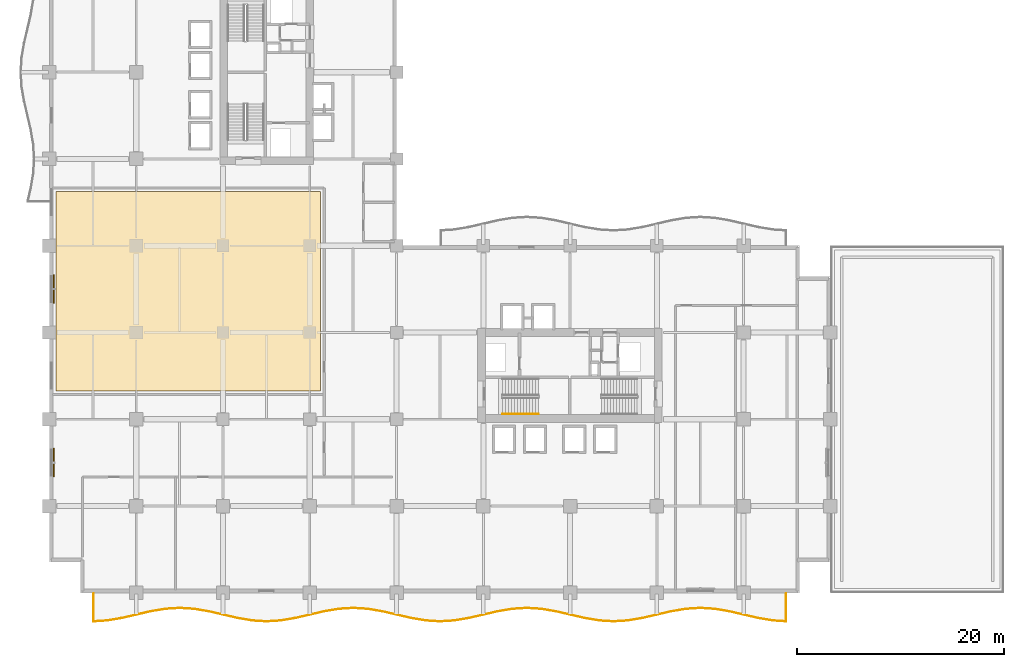
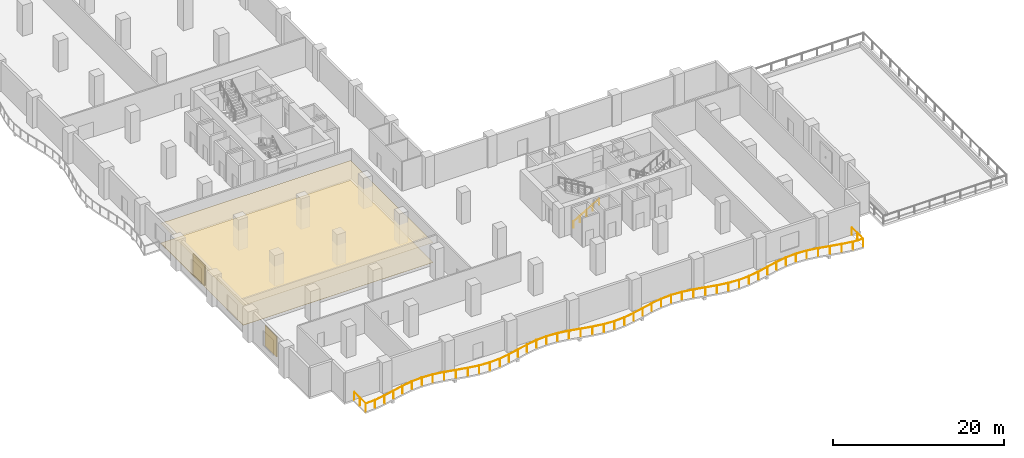
# One storey, part 17 of 21: 2 coverings, 2 railings, 2 shading devices.
"""IFC4 building model written with IfcOpenShell, lengths in metres."""

from ifc_helpers import new_model, si_unit, direction, frame, origin, origin_2d, place, context, subcontext, project, spatial, polyline, rectangle, circle, outline, extrude, material, layer, layer_set, type_object, element, save


model = new_model("IFC4")

# Units and contexts
model_context = context("Model", 3, precision=1e-05, world=origin(), true_north=direction((0.0, 1.0)))
body_context = subcontext(model_context, "Body", "Model", "MODEL_VIEW")
ifc_project = project(units=[si_unit("LENGTHUNIT", "METRE"), si_unit("AREAUNIT", "SQUARE_METRE"), si_unit("VOLUMEUNIT", "CUBIC_METRE"), si_unit("PLANEANGLEUNIT", "RADIAN"), si_unit("MASSUNIT", "GRAM", prefix="KILO")], contexts=[model_context])

# Site, building, storey
site_placement = place(None, origin())
site = spatial("IfcSite", under=ifc_project, at=site_placement, CompositionType="ELEMENT")
building_placement = place(site_placement, origin())
building = spatial("IfcBuilding", under=site, at=building_placement, Name="Koriwani Terraces Tower", CompositionType="ELEMENT")
storey_placement = place(building_placement, frame((0.0, 0.0, 85.199951171875)))
storey = spatial("IfcBuildingStorey", under=building, at=storey_placement, Name="L20", CompositionType="ELEMENT", Elevation=85.199951171875)

# Coverings
ifc_material_1 = material(Name="Fire-Rated Acoustic Gypsum Partition", Category="masonry")
ifc_layer_1 = layer(ifc_material_1, 0.02490234375, Name="Fire-Rated Acoustic Gypsum Partition")
ifc_layer_set_1 = layer_set([ifc_layer_1], Name="Fire-Rated Acoustic Gypsum Partition")
covering_type_1 = type_object("IfcCoveringType", Name="CEILING_ACOUSTIC_GYPSUM", PredefinedType="CEILING", material=ifc_layer_set_1)
covering_1_placement = place(storey_placement, frame((0.0, 0.0, 2.824951171875)))
element("IfcCovering", 1, at=covering_1_placement, inside=storey, type_object=covering_type_1, Name="L20 Suspended Acoustic Gypsum Ceiling", PredefinedType="CEILING", context=body_context, shape_type="SweptSolid", body=[
    extrude(outline(polyline([(0.64990234375, 19.550048828125), (0.64990234375, 38.85009765625), (26.25, 38.85009765625), (26.25, 19.550048828125), (0.64990234375, 19.550048828125)])), origin(), (0.0, 0.0, 1.0), 0.025146484375),
])
ifc_material_2 = material(Name="Polished Andean Slate Flooring", Category="masonry")
ifc_layer_2 = layer(ifc_material_2, 0.030029296875, Name="Polished Andean Slate Flooring")
ifc_layer_set_2 = layer_set([ifc_layer_2], Name="Polished Andean Slate Flooring")
covering_type_2 = type_object("IfcCoveringType", Name="FLOORING_ANDEAN_STONE", PredefinedType="FLOORING", material=ifc_layer_set_2)
covering_2_placement = place(storey_placement, origin())
element("IfcCovering", 2, at=covering_2_placement, inside=storey, type_object=covering_type_2, Name="L20 Polished Andean Slate Floor Finish", PredefinedType="FLOORING", context=body_context, shape_type="SweptSolid", body=[
    extrude(outline(polyline([(0.64990234375, 19.550048828125), (0.64990234375, 38.85009765625), (26.25, 38.85009765625), (26.25, 19.550048828125), (0.64990234375, 19.550048828125)])), origin(), (0.0, 0.0, 1.0), 0.030029296875),
])

# Railings
ifc_material_3 = material(Name="Steel ASTM A572 Grade 50", Category="steel")
railing_type_1 = type_object("IfcRailingType", Name="GUARD_BALUSTRADE_1150", PredefinedType="BALUSTRADE", material=ifc_material_3)
railing_1_placement = place(storey_placement, frame((4.280029296875, -0.080078125, 0.0)))
element("IfcRailing", 3, at=railing_1_placement, inside=storey, type_object=railing_type_1, Name="L20 Balcony Perimeter Safety Balustrade (S)", PredefinedType="BALUSTRADE", context=body_context, shape_type="SweptSolid", body=[
    extrude(circle(Radius=0.02392578125, at=origin_2d()), frame((0.0, 0.0, 1.1259765625), z_axis=(0.0, -1.0, 0.0), x_axis=(1.0, 0.0, 0.0)), (0.0, 0.0, 1.0), 2.684814453125),
    extrude(circle(Radius=0.02392578125, at=origin_2d()), frame((0.0, -2.684814453125, 1.1259765625), z_axis=(0.998070619723, 0.062088952689, 0.0), x_axis=(-0.062088952689, 0.998070619723, 0.0)), (0.0, 0.0, 1.0), 1.313232421875),
    extrude(circle(Radius=0.02392578125, at=origin_2d()), frame((1.310791015625, -2.603271484375, 1.1259765625), z_axis=(0.985861269125, 0.167563594016, 0.0), x_axis=(-0.167563594016, 0.985861269125, 0.0)), (0.0, 0.0, 1.0), 1.413330078125),
    extrude(circle(Radius=0.02392578125, at=origin_2d()), frame((2.7041015625, -2.366455078125, 1.1259765625), z_axis=(0.974105551615, 0.226093729043, 0.0), x_axis=(-0.226093729043, 0.974105551615, 0.0)), (0.0, 0.0, 1.0), 2.87451171875),
    extrude(circle(Radius=0.02392578125, at=origin_2d()), frame((5.504150390625, -1.716552734375, 1.1259765625), z_axis=(0.985871108269, 0.16750569507, 0.0), x_axis=(-0.16750569507, 0.985871108269, 0.0)), (0.0, 0.0, 1.0), 1.427001953125),
    extrude(circle(Radius=0.02392578125, at=origin_2d()), frame((6.910888671875, -1.4775390625, 1.1259765625), z_axis=(0.9980820707, 0.061904605217, 0.0), x_axis=(-0.061904605217, 0.9980820707, 0.0)), (0.0, 0.0, 1.0), 1.411865234375),
    extrude(circle(Radius=0.02392578125, at=origin_2d()), frame((8.320068359375, -1.39013671875, 1.1259765625), z_axis=(0.9980820707, -0.061904605217, 0.0), x_axis=(0.061904605217, 0.9980820707, 0.0)), (0.0, 0.0, 1.0), 1.411865234375),
    extrude(circle(Radius=0.02392578125, at=origin_2d()), frame((9.729248046875, -1.4775390625, 1.1259765625), z_axis=(0.985866306337, -0.167533954852, 0.0), x_axis=(0.167533954852, 0.985866306337, 0.0)), (0.0, 0.0, 1.0), 1.4267578125),
    extrude(circle(Radius=0.02392578125, at=origin_2d()), frame((11.1357421875, -1.716552734375, 1.1259765625), z_axis=(0.974105551615, -0.226093729043, 0.0), x_axis=(0.226093729043, 0.974105551615, 0.0)), (0.0, 0.0, 1.0), 2.87451171875),
    extrude(circle(Radius=0.02392578125, at=origin_2d()), frame((13.935791015625, -2.366455078125, 1.1259765625), z_axis=(0.985861269125, -0.167563594016, 0.0), x_axis=(0.167563594016, 0.985861269125, 0.0)), (0.0, 0.0, 1.0), 1.413330078125),
    extrude(circle(Radius=0.02392578125, at=origin_2d()), frame((15.3291015625, -2.603271484375, 1.1259765625), z_axis=(0.998075009192, -0.062018352335, 0.0), x_axis=(0.062018352335, 0.998075009192, 0.0)), (0.0, 0.0, 1.0), 1.3935546875),
    extrude(circle(Radius=0.02392578125, at=origin_2d()), frame((16.719970703125, -2.689697265625, 1.1259765625), z_axis=(0.998075009192, 0.062018352335, 0.0), x_axis=(-0.062018352335, 0.998075009192, 0.0)), (0.0, 0.0, 1.0), 1.3935546875),
    extrude(circle(Radius=0.02392578125, at=origin_2d()), frame((18.11083984375, -2.603271484375, 1.1259765625), z_axis=(0.985861269125, 0.167563594016, 0.0), x_axis=(-0.167563594016, 0.985861269125, 0.0)), (0.0, 0.0, 1.0), 1.413330078125),
    extrude(circle(Radius=0.02392578125, at=origin_2d()), frame((19.504150390625, -2.366455078125, 1.1259765625), z_axis=(0.974105551615, 0.226093729043, 0.0), x_axis=(-0.226093729043, 0.974105551615, 0.0)), (0.0, 0.0, 1.0), 2.87451171875),
    extrude(circle(Radius=0.02392578125, at=origin_2d()), frame((22.30419921875, -1.716552734375, 1.1259765625), z_axis=(0.985866306337, 0.167533954852, 0.0), x_axis=(-0.167533954852, 0.985866306337, 0.0)), (0.0, 0.0, 1.0), 1.4267578125),
    extrude(circle(Radius=0.02392578125, at=origin_2d()), frame((23.710693359375, -1.4775390625, 1.1259765625), z_axis=(0.9980820707, 0.061904605217, 0.0), x_axis=(-0.061904605217, 0.9980820707, 0.0)), (0.0, 0.0, 1.0), 1.411865234375),
    extrude(circle(Radius=0.02392578125, at=origin_2d()), frame((25.119873046875, -1.39013671875, 1.1259765625), z_axis=(0.9980820707, -0.061904605217, 0.0), x_axis=(0.061904605217, 0.9980820707, 0.0)), (0.0, 0.0, 1.0), 1.411865234375),
    extrude(circle(Radius=0.02392578125, at=origin_2d()), frame((26.529052734375, -1.4775390625, 1.1259765625), z_axis=(0.985871108269, -0.16750569507, 0.0), x_axis=(0.16750569507, 0.985871108269, 0.0)), (0.0, 0.0, 1.0), 1.427001953125),
    extrude(circle(Radius=0.02392578125, at=origin_2d()), frame((27.935791015625, -1.716552734375, 1.1259765625), z_axis=(0.974105551615, -0.226093729043, 0.0), x_axis=(0.226093729043, 0.974105551615, 0.0)), (0.0, 0.0, 1.0), 2.87451171875),
    extrude(circle(Radius=0.02392578125, at=origin_2d()), frame((30.73583984375, -2.366455078125, 1.1259765625), z_axis=(0.985861269125, -0.167563594016, 0.0), x_axis=(0.167563594016, 0.985861269125, 0.0)), (0.0, 0.0, 1.0), 1.413330078125),
    extrude(circle(Radius=0.02392578125, at=origin_2d()), frame((32.129150390625, -2.603271484375, 1.1259765625), z_axis=(0.998075009192, -0.062018352335, 0.0), x_axis=(0.062018352335, 0.998075009192, 0.0)), (0.0, 0.0, 1.0), 1.3935546875),
    extrude(circle(Radius=0.02392578125, at=origin_2d()), frame((33.52001953125, -2.689697265625, 1.1259765625), z_axis=(0.998075009192, 0.062018352335, 0.0), x_axis=(-0.062018352335, 0.998075009192, 0.0)), (0.0, 0.0, 1.0), 1.3935546875),
    extrude(circle(Radius=0.02392578125, at=origin_2d()), frame((34.910888671875, -2.603271484375, 1.1259765625), z_axis=(0.985861269125, 0.167563594016, 0.0), x_axis=(-0.167563594016, 0.985861269125, 0.0)), (0.0, 0.0, 1.0), 1.413330078125),
    extrude(circle(Radius=0.02392578125, at=origin_2d()), frame((36.30419921875, -2.366455078125, 1.1259765625), z_axis=(0.974105551615, 0.226093729043, 0.0), x_axis=(-0.226093729043, 0.974105551615, 0.0)), (0.0, 0.0, 1.0), 2.87451171875),
    extrude(circle(Radius=0.02392578125, at=origin_2d()), frame((39.104248046875, -1.716552734375, 1.1259765625), z_axis=(0.985866306337, 0.167533954852, 0.0), x_axis=(-0.167533954852, 0.985866306337, 0.0)), (0.0, 0.0, 1.0), 1.4267578125),
    extrude(circle(Radius=0.02392578125, at=origin_2d()), frame((40.5107421875, -1.4775390625, 1.1259765625), z_axis=(0.9980820707, 0.061904605217, 0.0), x_axis=(-0.061904605217, 0.9980820707, 0.0)), (0.0, 0.0, 1.0), 1.411865234375),
    extrude(circle(Radius=0.02392578125, at=origin_2d()), frame((41.919921875, -1.39013671875, 1.1259765625), z_axis=(0.9980820707, -0.061904605217, 0.0), x_axis=(0.061904605217, 0.9980820707, 0.0)), (0.0, 0.0, 1.0), 1.411865234375),
    extrude(circle(Radius=0.02392578125, at=origin_2d()), frame((43.3291015625, -1.4775390625, 1.1259765625), z_axis=(0.985866306337, -0.167533954852, 0.0), x_axis=(0.167533954852, 0.985866306337, 0.0)), (0.0, 0.0, 1.0), 1.4267578125),
    extrude(circle(Radius=0.02392578125, at=origin_2d()), frame((44.735595703125, -1.716552734375, 1.1259765625), z_axis=(0.974109892753, -0.226075024805, 0.0), x_axis=(0.226075024805, 0.974109892753, 0.0)), (0.0, 0.0, 1.0), 2.874755859375),
    extrude(circle(Radius=0.02392578125, at=origin_2d()), frame((47.535888671875, -2.366455078125, 1.1259765625), z_axis=(0.985861269125, -0.167563594016, 0.0), x_axis=(0.167563594016, 0.985861269125, 0.0)), (0.0, 0.0, 1.0), 1.413330078125),
    extrude(circle(Radius=0.02392578125, at=origin_2d()), frame((48.92919921875, -2.603271484375, 1.1259765625), z_axis=(0.998075009192, -0.062018352335, 0.0), x_axis=(0.062018352335, 0.998075009192, 0.0)), (0.0, 0.0, 1.0), 1.3935546875),
    extrude(circle(Radius=0.02392578125, at=origin_2d()), frame((50.320068359375, -2.689697265625, 1.1259765625), z_axis=(0.998074335174, 0.062029198499, 0.0), x_axis=(-0.062029198499, 0.998074335174, 0.0)), (0.0, 0.0, 1.0), 1.393310546875),
    extrude(circle(Radius=0.02392578125, at=origin_2d()), frame((51.710693359375, -2.603271484375, 1.1259765625), z_axis=(0.985866118171, 0.167535062128, 0.0), x_axis=(-0.167535062128, 0.985866118171, 0.0)), (0.0, 0.0, 1.0), 1.41357421875),
    extrude(circle(Radius=0.02392578125, at=origin_2d()), frame((53.104248046875, -2.366455078125, 1.1259765625), z_axis=(0.974105551615, 0.226093729043, 0.0), x_axis=(-0.226093729043, 0.974105551615, 0.0)), (0.0, 0.0, 1.0), 2.87451171875),
    extrude(circle(Radius=0.02392578125, at=origin_2d()), frame((55.904296875, -1.716552734375, 1.1259765625), z_axis=(0.985866306337, 0.167533954852, 0.0), x_axis=(-0.167533954852, 0.985866306337, 0.0)), (0.0, 0.0, 1.0), 1.4267578125),
    extrude(circle(Radius=0.02392578125, at=origin_2d()), frame((57.310791015625, -1.4775390625, 1.1259765625), z_axis=(0.9980820707, 0.061904605217, 0.0), x_axis=(-0.061904605217, 0.9980820707, 0.0)), (0.0, 0.0, 1.0), 1.411865234375),
    extrude(circle(Radius=0.02392578125, at=origin_2d()), frame((58.719970703125, -1.39013671875, 1.1259765625), z_axis=(0.9980820707, -0.061904605217, 0.0), x_axis=(0.061904605217, 0.9980820707, 0.0)), (0.0, 0.0, 1.0), 1.411865234375),
    extrude(circle(Radius=0.02392578125, at=origin_2d()), frame((60.129150390625, -1.4775390625, 1.1259765625), z_axis=(0.985866306337, -0.167533954852, 0.0), x_axis=(0.167533954852, 0.985866306337, 0.0)), (0.0, 0.0, 1.0), 1.4267578125),
    extrude(circle(Radius=0.02392578125, at=origin_2d()), frame((61.53564453125, -1.716552734375, 1.1259765625), z_axis=(0.974105551615, -0.226093729043, 0.0), x_axis=(0.226093729043, 0.974105551615, 0.0)), (0.0, 0.0, 1.0), 2.87451171875),
    extrude(circle(Radius=0.02392578125, at=origin_2d()), frame((64.335693359375, -2.366455078125, 1.1259765625), z_axis=(0.985866118171, -0.167535062128, 0.0), x_axis=(0.167535062128, 0.985866118171, 0.0)), (0.0, 0.0, 1.0), 1.41357421875),
    extrude(circle(Radius=0.02392578125, at=origin_2d()), frame((65.729248046875, -2.603271484375, 1.1259765625), z_axis=(0.998070619723, -0.062088952689, 0.0), x_axis=(0.062088952689, 0.998070619723, 0.0)), (0.0, 0.0, 1.0), 1.313232421875),
    extrude(circle(Radius=0.02392578125, at=origin_2d()), frame((67.0400390625, -2.684814453125, 1.1259765625), z_axis=(0.0, 1.0, 0.0), x_axis=(-1.0, 0.0, 0.0)), (0.0, 0.0, 1.0), 2.684814453125),
    extrude(circle(Radius=0.02099609375, at=origin_2d()), origin(), (0.0, 0.0, 1.0), 1.101806640625),
    extrude(circle(Radius=0.02099609375, at=origin_2d()), frame((0.0, -1.34228515625, 0.0)), (0.0, 0.0, 1.0), 1.101806640625),
    extrude(circle(Radius=0.02099609375, at=origin_2d()), frame((0.0, -2.684814453125, 0.0)), (0.0, 0.0, 1.0), 1.101806640625),
    extrude(circle(Radius=0.02099609375, at=origin_2d()), frame((1.310791015625, -2.603271484375, 0.0)), (0.0, 0.0, 1.0), 1.101806640625),
    extrude(circle(Radius=0.02099609375, at=origin_2d()), frame((2.7041015625, -2.366455078125, 0.0)), (0.0, 0.0, 1.0), 1.101806640625),
    extrude(circle(Radius=0.02099609375, at=origin_2d()), frame((4.10400390625, -2.04150390625, 0.0)), (0.0, 0.0, 1.0), 1.101806640625),
    extrude(circle(Radius=0.02099609375, at=origin_2d()), frame((5.504150390625, -1.716552734375, 0.0)), (0.0, 0.0, 1.0), 1.101806640625),
    extrude(circle(Radius=0.02099609375, at=origin_2d()), frame((6.910888671875, -1.4775390625, 0.0)), (0.0, 0.0, 1.0), 1.101806640625),
    extrude(circle(Radius=0.02099609375, at=origin_2d()), frame((8.320068359375, -1.39013671875, 0.0)), (0.0, 0.0, 1.0), 1.101806640625),
    extrude(circle(Radius=0.02099609375, at=origin_2d()), frame((9.729248046875, -1.4775390625, 0.0)), (0.0, 0.0, 1.0), 1.101806640625),
    extrude(circle(Radius=0.02099609375, at=origin_2d()), frame((11.1357421875, -1.716552734375, 0.0)), (0.0, 0.0, 1.0), 1.101806640625),
    extrude(circle(Radius=0.02099609375, at=origin_2d()), frame((12.53564453125, -2.04150390625, 0.0)), (0.0, 0.0, 1.0), 1.101806640625),
    extrude(circle(Radius=0.02099609375, at=origin_2d()), frame((13.935791015625, -2.366455078125, 0.0)), (0.0, 0.0, 1.0), 1.101806640625),
    extrude(circle(Radius=0.02099609375, at=origin_2d()), frame((15.3291015625, -2.603271484375, 0.0)), (0.0, 0.0, 1.0), 1.101806640625),
    extrude(circle(Radius=0.02099609375, at=origin_2d()), frame((16.719970703125, -2.689697265625, 0.0)), (0.0, 0.0, 1.0), 1.101806640625),
    extrude(circle(Radius=0.02099609375, at=origin_2d()), frame((18.11083984375, -2.603271484375, 0.0)), (0.0, 0.0, 1.0), 1.101806640625),
    extrude(circle(Radius=0.02099609375, at=origin_2d()), frame((19.504150390625, -2.366455078125, 0.0)), (0.0, 0.0, 1.0), 1.101806640625),
    extrude(circle(Radius=0.02099609375, at=origin_2d()), frame((20.904296875, -2.04150390625, 0.0)), (0.0, 0.0, 1.0), 1.101806640625),
    extrude(circle(Radius=0.02099609375, at=origin_2d()), frame((22.30419921875, -1.716552734375, 0.0)), (0.0, 0.0, 1.0), 1.101806640625),
    extrude(circle(Radius=0.02099609375, at=origin_2d()), frame((23.710693359375, -1.4775390625, 0.0)), (0.0, 0.0, 1.0), 1.101806640625),
    extrude(circle(Radius=0.02099609375, at=origin_2d()), frame((25.119873046875, -1.39013671875, 0.0)), (0.0, 0.0, 1.0), 1.101806640625),
    extrude(circle(Radius=0.02099609375, at=origin_2d()), frame((26.529052734375, -1.4775390625, 0.0)), (0.0, 0.0, 1.0), 1.101806640625),
    extrude(circle(Radius=0.02099609375, at=origin_2d()), frame((27.935791015625, -1.716552734375, 0.0)), (0.0, 0.0, 1.0), 1.101806640625),
    extrude(circle(Radius=0.02099609375, at=origin_2d()), frame((29.3359375, -2.04150390625, 0.0)), (0.0, 0.0, 1.0), 1.101806640625),
    extrude(circle(Radius=0.02099609375, at=origin_2d()), frame((30.73583984375, -2.366455078125, 0.0)), (0.0, 0.0, 1.0), 1.101806640625),
    extrude(circle(Radius=0.02099609375, at=origin_2d()), frame((32.129150390625, -2.603271484375, 0.0)), (0.0, 0.0, 1.0), 1.101806640625),
    extrude(circle(Radius=0.02099609375, at=origin_2d()), frame((33.52001953125, -2.689697265625, 0.0)), (0.0, 0.0, 1.0), 1.101806640625),
    extrude(circle(Radius=0.02099609375, at=origin_2d()), frame((34.910888671875, -2.603271484375, 0.0)), (0.0, 0.0, 1.0), 1.101806640625),
    extrude(circle(Radius=0.02099609375, at=origin_2d()), frame((36.30419921875, -2.366455078125, 0.0)), (0.0, 0.0, 1.0), 1.101806640625),
    extrude(circle(Radius=0.02099609375, at=origin_2d()), frame((37.7041015625, -2.04150390625, 0.0)), (0.0, 0.0, 1.0), 1.101806640625),
    extrude(circle(Radius=0.02099609375, at=origin_2d()), frame((39.104248046875, -1.716552734375, 0.0)), (0.0, 0.0, 1.0), 1.101806640625),
    extrude(circle(Radius=0.02099609375, at=origin_2d()), frame((40.5107421875, -1.4775390625, 0.0)), (0.0, 0.0, 1.0), 1.101806640625),
    extrude(circle(Radius=0.02099609375, at=origin_2d()), frame((41.919921875, -1.39013671875, 0.0)), (0.0, 0.0, 1.0), 1.101806640625),
    extrude(circle(Radius=0.02099609375, at=origin_2d()), frame((43.3291015625, -1.4775390625, 0.0)), (0.0, 0.0, 1.0), 1.101806640625),
    extrude(circle(Radius=0.02099609375, at=origin_2d()), frame((44.735595703125, -1.716552734375, 0.0)), (0.0, 0.0, 1.0), 1.101806640625),
    extrude(circle(Radius=0.02099609375, at=origin_2d()), frame((46.1357421875, -2.04150390625, 0.0)), (0.0, 0.0, 1.0), 1.101806640625),
    extrude(circle(Radius=0.02099609375, at=origin_2d()), frame((47.535888671875, -2.366455078125, 0.0)), (0.0, 0.0, 1.0), 1.101806640625),
    extrude(circle(Radius=0.02099609375, at=origin_2d()), frame((48.92919921875, -2.603271484375, 0.0)), (0.0, 0.0, 1.0), 1.101806640625),
    extrude(circle(Radius=0.02099609375, at=origin_2d()), frame((50.320068359375, -2.689697265625, 0.0)), (0.0, 0.0, 1.0), 1.101806640625),
    extrude(circle(Radius=0.02099609375, at=origin_2d()), frame((51.710693359375, -2.603271484375, 0.0)), (0.0, 0.0, 1.0), 1.101806640625),
    extrude(circle(Radius=0.02099609375, at=origin_2d()), frame((53.104248046875, -2.366455078125, 0.0)), (0.0, 0.0, 1.0), 1.101806640625),
    extrude(circle(Radius=0.02099609375, at=origin_2d()), frame((54.50439453125, -2.04150390625, 0.0)), (0.0, 0.0, 1.0), 1.101806640625),
    extrude(circle(Radius=0.02099609375, at=origin_2d()), frame((55.904296875, -1.716552734375, 0.0)), (0.0, 0.0, 1.0), 1.101806640625),
    extrude(circle(Radius=0.02099609375, at=origin_2d()), frame((57.310791015625, -1.4775390625, 0.0)), (0.0, 0.0, 1.0), 1.101806640625),
    extrude(circle(Radius=0.02099609375, at=origin_2d()), frame((58.719970703125, -1.39013671875, 0.0)), (0.0, 0.0, 1.0), 1.101806640625),
    extrude(circle(Radius=0.02099609375, at=origin_2d()), frame((60.129150390625, -1.4775390625, 0.0)), (0.0, 0.0, 1.0), 1.101806640625),
    extrude(circle(Radius=0.02099609375, at=origin_2d()), frame((61.53564453125, -1.716552734375, 0.0)), (0.0, 0.0, 1.0), 1.101806640625),
    extrude(circle(Radius=0.02099609375, at=origin_2d()), frame((62.935546875, -2.04150390625, 0.0)), (0.0, 0.0, 1.0), 1.101806640625),
    extrude(circle(Radius=0.02099609375, at=origin_2d()), frame((64.335693359375, -2.366455078125, 0.0)), (0.0, 0.0, 1.0), 1.101806640625),
    extrude(circle(Radius=0.02099609375, at=origin_2d()), frame((65.729248046875, -2.603271484375, 0.0)), (0.0, 0.0, 1.0), 1.101806640625),
    extrude(circle(Radius=0.02099609375, at=origin_2d()), frame((67.0400390625, -2.684814453125, 0.0)), (0.0, 0.0, 1.0), 1.101806640625),
    extrude(circle(Radius=0.02099609375, at=origin_2d()), frame((67.0400390625, -1.34228515625, 0.0)), (0.0, 0.0, 1.0), 1.101806640625),
    extrude(circle(Radius=0.02099609375, at=origin_2d()), frame((67.0400390625, 0.0, 0.0)), (0.0, 0.0, 1.0), 1.101806640625),
])
railing_type_2 = type_object("IfcRailingType", Name="HANDRAIL_STAIR_920", PredefinedType="HANDRAIL", material=ifc_material_3)
railing_2_placement = place(storey_placement, frame((43.85009765625, 17.300048828125, 0.169189453125)))
element("IfcRailing", 4, at=railing_2_placement, inside=storey, type_object=railing_type_2, Name="L20 ST-E1 stair handrail 1", PredefinedType="HANDRAIL", context=body_context, shape_type="SweptSolid", body=[
    extrude(circle(Radius=0.02392578125, at=origin_2d()), frame((0.0, 0.0, 0.8759765625), z_axis=(0.863695377172, 0.0, 0.504014181796), x_axis=(0.0, 1.0, 0.0)), (0.0, 0.0, 1.0), 4.029296875),
    extrude(circle(Radius=0.02099609375, at=origin_2d()), origin(), (0.0, 0.0, 1.0), 0.851806640625),
    extrude(circle(Radius=0.02099609375, at=origin_2d()), frame((0.8701171875, 0.0, 0.5078125)), (0.0, 0.0, 1.0), 0.851806640625),
    extrude(circle(Radius=0.02099609375, at=origin_2d()), frame((1.739990234375, 0.0, 1.015380859375)), (0.0, 0.0, 1.0), 0.851806640625),
    extrude(circle(Radius=0.02099609375, at=origin_2d()), frame((2.60986328125, 0.0, 1.52294921875)), (0.0, 0.0, 1.0), 0.851806640625),
    extrude(circle(Radius=0.02099609375, at=origin_2d()), frame((3.47998046875, 0.0, 2.03076171875)), (0.0, 0.0, 1.0), 0.851806640625),
])

# Shading devices
ifc_material_4 = material(Name="Extruded Terracotta Clay", Category="masonry")
ifc_layer_3 = layer(ifc_material_4, 0.1201171875, Name="Extruded Terracotta Clay")
ifc_layer_set_3 = layer_set([ifc_layer_3], Name="Extruded Terracotta Clay")
shading_device_type = type_object("IfcShadingDeviceType", Name="TERRACOTTA_BAGUETTE_SCREEN_2800", PredefinedType="USERDEFINED", material=ifc_layer_set_3)
for number, where, z_axis, x_axis, name in (
    (5, (0.405029296875, 12.60009765625, 0.625), (0.0, 0.0, 1.0), (0.0, 1.0, 0.0), "L20 Extruded Terracotta Baguette Screen (W-3)"),
    (6, (0.405029296875, 29.39990234375, 0.625), (0.0, 0.0, 1.0), (0.0, 1.0, 0.0), "L20 Extruded Terracotta Baguette Screen (W-9)"),
):
    element("IfcShadingDevice", number, at=place(storey_placement, frame(where, z_axis=z_axis, x_axis=x_axis)), inside=storey, type_object=shading_device_type, Name=name, ObjectType="BAGUETTE", PredefinedType="USERDEFINED", context=body_context, shape_type="SweptSolid", body=[
        extrude(rectangle(XDim=2.760009765625, YDim=0.1201171875, at=origin_2d()), origin(), (0.0, 0.0, 1.0), 2.89990234375),
    ])

save(model, "model.ifc")
